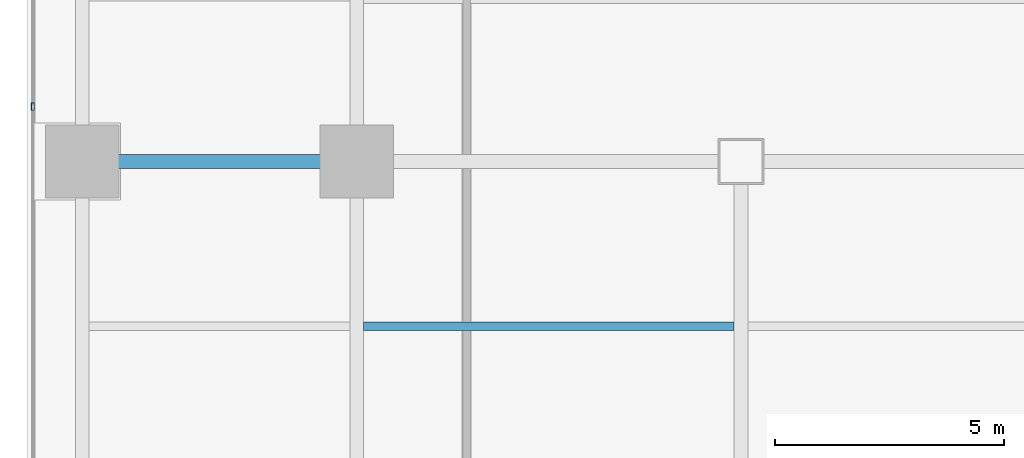
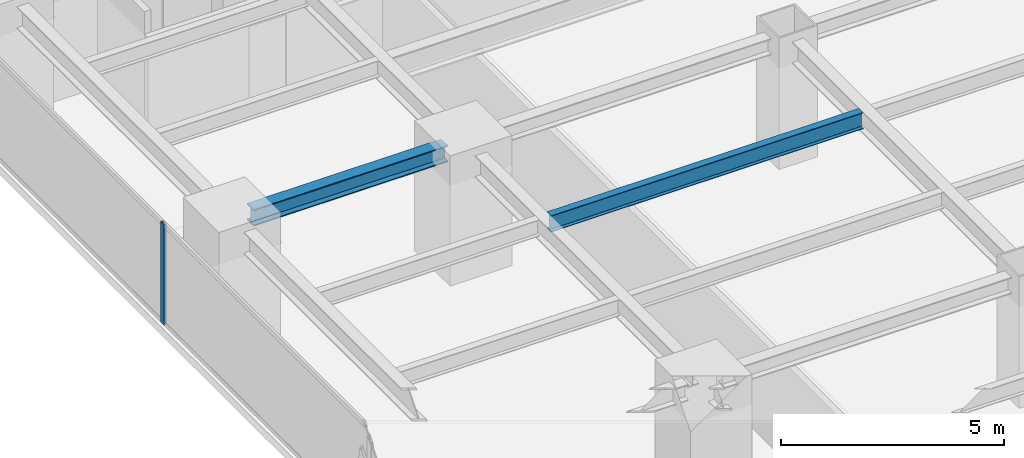
# One storey, part 7 of 27: 2 beams, 1 member, 1 element without a shape of its own.
"""IFC4 building model written with IfcOpenShell, lengths in metres."""

import ifcopenshell
import ifcopenshell.guid

model = None  # the IFC model being written
_history = None  # IfcOwnerHistory: only IFC2X3 demands one
_inside = {}  # id of a spatial element -> (the spatial element, [elements in it])
_under = {}  # id of a project, library or spatial element -> (it, [spatial elements below it])
_declared = {}  # id of a project -> (the project, [libraries it declares])
_typed = {}  # id of a type object -> (the type object, [elements of that type])
_made_of = {}  # id of a material, layer set ... -> (it, [elements and type objects made of it])


def new_model(schema):
    """Start an empty IFC model of exactly this schema.

    Asked for "IFC4X3", IfcOpenShell would pick the latest addendum, in which some entities
    have other attributes; the version numbers below select the first issue.
    IFC2X3 requires an IfcOwnerHistory on every rooted entity: one is made here for all.
    """
    global model, _history
    if schema == "IFC4X3":
        model = ifcopenshell.file(schema_version=(4, 3, 0, 0))
    else:
        model = ifcopenshell.file(schema=schema)
    _inside.clear()
    _under.clear()
    _declared.clear()
    _typed.clear()
    _made_of.clear()
    _history = None
    if model.schema == "IFC2X3":
        org = make("IfcOrganization", Name="unknown")
        user = make(
            "IfcPersonAndOrganization",
            ThePerson=make("IfcPerson", FamilyName="unknown"),
            TheOrganization=org,
        )
        app = make(
            "IfcApplication",
            ApplicationDeveloper=org,
            Version="unknown",
            ApplicationFullName="unknown",
            ApplicationIdentifier="unknown",
        )
        _history = make(
            "IfcOwnerHistory",
            OwningUser=user,
            OwningApplication=app,
            ChangeAction="ADDED",
            CreationDate=0,
        )
    return model


def make(cls, **values):
    """One entity of the class cls with the attributes given. An attribute that is None is left unset."""
    return model.create_entity(
        cls, **{name: value for name, value in values.items() if value is not None}
    )


def rooted(cls, **values):
    """An entity with a GlobalId (a new one), such as an element, a storey or a relation."""
    return make(cls, GlobalId=ifcopenshell.guid.new(), OwnerHistory=_history, **values)


def si_unit(unit_type, name, prefix=None):
    """IfcSIUnit, for example si_unit("LENGTHUNIT", "METRE", prefix="MILLI")."""
    return make("IfcSIUnit", UnitType=unit_type, Prefix=prefix, Name=name)


def assignment(units):
    """IfcUnitAssignment: the units of a project."""
    return None if units is None else make("IfcUnitAssignment", Units=units)


def point(xyz):
    """IfcCartesianPoint."""
    return None if xyz is None else make("IfcCartesianPoint", Coordinates=xyz)


def direction(xyz):
    """IfcDirection."""
    return None if xyz is None else make("IfcDirection", DirectionRatios=xyz)


def frame(location, z_axis=None, x_axis=None):
    """IfcAxis2Placement3D, a coordinate frame: its origin and axes. An axis left out is left unset."""
    return make(
        "IfcAxis2Placement3D",
        Location=point(location),
        Axis=direction(z_axis),
        RefDirection=direction(x_axis),
    )


def frame_2d(location, x_axis=None):
    """IfcAxis2Placement2D, a coordinate frame in the plane: its origin and x axis."""
    return make(
        "IfcAxis2Placement2D", Location=point(location), RefDirection=direction(x_axis)
    )


def origin():
    """The frame at (0, 0, 0) with its axes left unset."""
    return frame((0.0, 0.0, 0.0))


def origin_2d():
    """The frame at (0, 0) in the plane with its x axis left unset."""
    return frame_2d((0.0, 0.0))


def place(relative_to, where):
    """IfcLocalPlacement: puts the frame where relative to a parent placement (None: the world)."""
    return make(
        "IfcLocalPlacement", PlacementRelTo=relative_to, RelativePlacement=where
    )


def context(
    kind, dimensions, precision=None, world=None, true_north=None, identifier=None
):
    """IfcGeometricRepresentationContext, for example the 3D "Model" context."""
    return make(
        "IfcGeometricRepresentationContext",
        ContextIdentifier=identifier,
        ContextType=kind,
        CoordinateSpaceDimension=dimensions,
        Precision=precision,
        WorldCoordinateSystem=world,
        TrueNorth=true_north,
    )


def subcontext(parent, identifier, kind, view, scale=None):
    """IfcGeometricRepresentationSubContext, for example "Body" below "Model"."""
    return make(
        "IfcGeometricRepresentationSubContext",
        ContextIdentifier=identifier,
        ContextType=kind,
        ParentContext=parent,
        TargetScale=scale,
        TargetView=view,
    )


def project(units=None, contexts=None):
    """IfcProject with its units and contexts."""
    return rooted(
        "IfcProject",
        Name="project",
        RepresentationContexts=contexts,
        UnitsInContext=assignment(units),
    )


def spatial(cls, under=None, at=None, **own):
    """A site, building, storey or space (cls), placed at a placement, below another one or the project."""
    s = rooted(cls, ObjectPlacement=at, **own)
    if under is not None:
        _under.setdefault(under.id(), (under, []))[1].append(s)
    return s


def profile(cls, at=None, kind="AREA", **sizes):
    """A parametric profile (cls). Its sizes go by their IFC names, for example OverallWidth=200.0."""
    return make(cls, ProfileType=kind, Position=at, **sizes)


def hollow_rectangle(**sizes):
    """IfcRectangleHollowProfileDef."""
    return profile("IfcRectangleHollowProfileDef", **sizes)


def i_section(**sizes):
    """IfcIShapeProfileDef."""
    return profile("IfcIShapeProfileDef", **sizes)


def extrude(swept, where, along, depth):
    """IfcExtrudedAreaSolid: the profile swept, set in the frame where, extruded along a direction by depth."""
    return make(
        "IfcExtrudedAreaSolid",
        SweptArea=swept,
        Position=where,
        ExtrudedDirection=direction(along),
        Depth=depth,
    )


def shape(context_of_items, identifier, shape_type, items):
    """IfcShapeRepresentation: the items that make up one representation, for example the "Body"."""
    return make(
        "IfcShapeRepresentation",
        ContextOfItems=context_of_items,
        RepresentationIdentifier=identifier,
        RepresentationType=shape_type,
        Items=items,
    )


def source(mapping_origin, context_of_items, identifier, shape_type, items):
    """IfcRepresentationMap: a shape defined once, which mapped items show again and again."""
    return make(
        "IfcRepresentationMap",
        MappingOrigin=mapping_origin,
        MappedRepresentation=shape(context_of_items, identifier, shape_type, items),
    )


def transform(
    local_origin,
    x_axis=None,
    y_axis=None,
    z_axis=None,
    scale=None,
    scale2=None,
    scale3=None,
    uniform=True,
):
    """IfcCartesianTransformationOperator3D, or its non-uniform kind. x_axis, y_axis, z_axis: its Axis1, 2, 3."""
    if uniform:
        return make(
            "IfcCartesianTransformationOperator3D",
            Axis1=direction(x_axis),
            Axis2=direction(y_axis),
            LocalOrigin=point(local_origin),
            Scale=scale,
            Axis3=direction(z_axis),
        )
    return make(
        "IfcCartesianTransformationOperator3DnonUniform",
        Axis1=direction(x_axis),
        Axis2=direction(y_axis),
        LocalOrigin=point(local_origin),
        Scale=scale,
        Axis3=direction(z_axis),
        Scale2=scale2,
        Scale3=scale3,
    )


def mapped(mapping_source, mapping_target):
    """IfcMappedItem: shows the shape of a source again, moved by a transform."""
    return make(
        "IfcMappedItem", MappingSource=mapping_source, MappingTarget=mapping_target
    )


def material(Name=None, Category=None):
    """IfcMaterial."""
    return make("IfcMaterial", Name=Name, Category=Category)


def layer(
    of_material, thickness, ventilated=None, Name=None, Category=None, Priority=None
):
    """IfcMaterialLayer: one layer of a wall or slab, of a material (None: an air gap)."""
    return make(
        "IfcMaterialLayer",
        Material=of_material,
        LayerThickness=thickness,
        IsVentilated=ventilated,
        Name=Name,
        Category=Category,
        Priority=Priority,
    )


def layer_set(layers, Name=None):
    """IfcMaterialLayerSet."""
    return make("IfcMaterialLayerSet", MaterialLayers=layers, LayerSetName=Name)


def material_profile(
    of_material, cross_section, Name=None, Category=None, Priority=None
):
    """IfcMaterialProfile: a cross section and its material."""
    return make(
        "IfcMaterialProfile",
        Name=Name,
        Material=of_material,
        Profile=cross_section,
        Priority=Priority,
        Category=Category,
    )


def profile_set(profiles, Name=None, composite=None):
    """IfcMaterialProfileSet."""
    return make(
        "IfcMaterialProfileSet",
        Name=Name,
        MaterialProfiles=profiles,
        CompositeProfile=composite,
    )


def made_of(thing, what):
    """Note that an element or type object is made of a material, layer set ...; save() writes the relation."""
    if what is not None:
        _made_of.setdefault(what.id(), (what, []))[1].append(thing)
    return thing


def type_object(cls, material=None, **own):
    """A type object (cls), such as IfcWallType, which elements share."""
    return made_of(rooted(cls, **own), material)


def element(
    cls,
    number,
    at=None,
    inside=None,
    cuts=None,
    type_object=None,
    material=None,
    context=None,
    identifier="Body",
    shape_type=None,
    held_by="IfcProductDefinitionShape",
    body=None,
    shapes=None,
    **own,
):
    """One element of the class cls, such as IfcWall. Its Tag is "e" and its number.

    at: its placement. inside: the storey or other place that contains it. cuts: it is an
    opening in that element (IfcRelVoidsElement). A single representation is given by context,
    identifier, shape_type and body (its items); several are given by shapes. held_by: the class
    of the entity that holds the representations. save() writes the other relations.
    """
    e = rooted(cls, Tag="e%d" % number, ObjectPlacement=at, **own)
    if body is not None:
        shapes = [shape(context, identifier, shape_type, body)]
    if shapes is not None:
        e.Representation = make(held_by, Representations=shapes)
    if inside is not None:
        _inside.setdefault(inside.id(), (inside, []))[1].append(e)
    if cuts is not None:
        rooted(
            "IfcRelVoidsElement", RelatingBuildingElement=cuts, RelatedOpeningElement=e
        )
    if type_object is not None:
        _typed.setdefault(type_object.id(), (type_object, []))[1].append(e)
    return made_of(e, material)


def aggregate(whole, parts):
    """IfcRelAggregates: a whole, such as a stair, and the parts it consists of."""
    return rooted("IfcRelAggregates", RelatingObject=whole, RelatedObjects=parts)


def save(model, path):
    """Write the relations noted so far, then the file.

    IfcRelAggregates (storeys below a building ...), IfcRelContainedInSpatialStructure (elements
    in a storey), IfcRelDefinesByType, IfcRelAssociatesMaterial and IfcRelDeclares: one each for
    every whole, place, type object, material and project.
    """
    for whole, parts in _under.values():
        aggregate(whole, parts)
    for where, things in _inside.values():
        rooted(
            "IfcRelContainedInSpatialStructure",
            RelatedElements=things,
            RelatingStructure=where,
        )
    for kind, things in _typed.values():
        rooted("IfcRelDefinesByType", RelatedObjects=things, RelatingType=kind)
    for what, things in _made_of.values():
        rooted("IfcRelAssociatesMaterial", RelatedObjects=things, RelatingMaterial=what)
    for by, libraries in _declared.values():
        rooted("IfcRelDeclares", RelatingContext=by, RelatedDefinitions=libraries)
    model.write(path)


model = new_model("IFC4")

# Units and contexts
model_context = context("Model", 3, precision=1e-05, world=origin(), true_north=direction((0.0, 1.0)))
body_context = subcontext(model_context, "Body", "Model", "MODEL_VIEW")
ifc_project = project(units=[si_unit("LENGTHUNIT", "METRE"), si_unit("AREAUNIT", "SQUARE_METRE"), si_unit("VOLUMEUNIT", "CUBIC_METRE"), si_unit("PLANEANGLEUNIT", "RADIAN"), si_unit("MASSUNIT", "GRAM", prefix="KILO")], contexts=[model_context])

# Site, building, storey
site_placement = place(None, origin())
site = spatial("IfcSite", under=ifc_project, at=site_placement, CompositionType="ELEMENT")
building_placement = place(site_placement, origin())
building = spatial("IfcBuilding", under=site, at=building_placement, Name="Sumidabori Civic Tower", CompositionType="ELEMENT")
storey_placement = place(building_placement, frame((0.0, 0.0, 160.39990234375)))
storey = spatial("IfcBuildingStorey", under=building, at=storey_placement, Name="L41", CompositionType="ELEMENT", Elevation=160.39990234375)

# Beams
ifc_material_1 = material(Name="Steel SN490", Category="steel")
ifc_material_profile_1 = material_profile(ifc_material_1, i_section(OverallWidth=0.18994140625, OverallDepth=0.449951171875, WebThickness=0.009521484375, FlangeThickness=0.0146484375, at=origin_2d()), Name="IPE 450")
ifc_profile_set_1 = profile_set([ifc_material_profile_1], Name="Steel SN490")
beam_type_1 = type_object("IfcBeamType", Name="BM-JST-450", PredefinedType="JOIST", material=ifc_profile_set_1)
shared_shape_1 = source(origin(), body_context, "Body", "SweptSolid", [
    extrude(i_section(OverallWidth=0.18994140625, OverallDepth=0.449951171875, WebThickness=0.009521484375, FlangeThickness=0.0146484375, at=origin_2d()), origin(), (0.0, 0.0, 1.0), 8.099853515625),
])
beam_1_placement = place(storey_placement, frame((-16.64990234375, -3.60009765625, 3.155029296875), z_axis=(1.0, 0.0, 0.0), x_axis=(0.0, 1.0, 0.0)))
element("IfcBeam", 1, at=beam_1_placement, inside=storey, type_object=beam_type_1, Name="South Bay Floor Joist L41 JSTS-57", PredefinedType="JOIST", context=body_context, shape_type="MappedRepresentation", body=[
    mapped(shared_shape_1, transform((0.0, 0.0, 0.0), x_axis=(1.0, 0.0, 0.0), y_axis=(0.0, 1.0, 0.0), z_axis=(0.0, 0.0, 1.0), scale=1.0)),
])
ifc_material_profile_2 = material_profile(ifc_material_1, i_section(OverallWidth=0.300048828125, OverallDepth=0.449951171875, WebThickness=0.013916015625, FlangeThickness=0.02587890625, at=origin_2d()), Name="HE 450 B")
ifc_profile_set_2 = profile_set([ifc_material_profile_2], Name="Steel SN490")
beam_type_2 = type_object("IfcBeamType", Name="BM-GIRD-450", PredefinedType="BEAM", material=ifc_profile_set_2)
shared_shape_2 = source(origin(), body_context, "Body", "SweptSolid", [
    extrude(i_section(OverallWidth=0.300048828125, OverallDepth=0.449951171875, WebThickness=0.013916015625, FlangeThickness=0.02587890625, at=origin_2d()), origin(), (0.0, 0.0, 1.0), 5.0400390625),
])
beam_2_placement = place(storey_placement, frame((-22.320068359375, 0.0, 3.155029296875), z_axis=(1.0, 0.0, 0.0), x_axis=(0.0, 1.0, 0.0)))
element("IfcBeam", 2, at=beam_2_placement, inside=storey, type_object=beam_type_2, Name="Primary Girder L41 GX-11", PredefinedType="BEAM", context=body_context, shape_type="MappedRepresentation", body=[
    mapped(shared_shape_2, transform((0.0, 0.0, 0.0), x_axis=(1.0, 0.0, 0.0), y_axis=(0.0, 1.0, 0.0), z_axis=(0.0, 0.0, 1.0), scale=1.0)),
])

# Curtain wall, member
ifc_material_2 = material(Name="Anodised Bronze Aluminium AW-6063-T6", Category="aluminium")
ifc_layer = layer(ifc_material_2, 0.179931640625, Name="Anodised Bronze Aluminium AW-6063-T6")
ifc_layer_set = layer_set([ifc_layer], Name="Anodised Bronze Aluminium AW-6063-T6")
curtain_wall_type = type_object("IfcCurtainWallType", Name="CW-SYS-3", PredefinedType="NOTDEFINED", material=ifc_layer_set)
curtain_wall_placement = place(storey_placement, origin())
curtain_wall = element("IfcCurtainWall", 3, at=curtain_wall_placement, inside=storey, type_object=curtain_wall_type, Name="Curtain Wall CW:L41:R10", PredefinedType="NOTDEFINED")
ifc_material_profile_3 = material_profile(ifc_material_2, hollow_rectangle(XDim=0.06494140625, YDim=0.159912109375, WallThickness=0.0048828125, at=origin_2d()), Name="ALU MULLION 160x65")
ifc_profile_set_3 = profile_set([ifc_material_profile_3], Name="Anodised Bronze Aluminium AW-6063-T6")
member_type = type_object("IfcMemberType", Name="CW-MUL-160", PredefinedType="MULLION", material=ifc_profile_set_3)
shared_shape_3 = source(origin(), body_context, "Body", "SweptSolid", [
    extrude(hollow_rectangle(XDim=0.06494140625, YDim=0.159912109375, WallThickness=0.0048828125, at=origin_2d()), origin(), (0.0, 0.0, 1.0), 2.760009765625),
])
member_placement = place(storey_placement, frame((-23.8798828125, 1.199951171875, 0.0), z_axis=(0.0, 0.0, 1.0), x_axis=(1.0, 0.0, 0.0)))
member = element("IfcMember", 4, at=member_placement, type_object=member_type, Name="CW-3 mullion 3", PredefinedType="MULLION", context=body_context, shape_type="MappedRepresentation", body=[
    mapped(shared_shape_3, transform((0.0, 0.0, 0.0), x_axis=(1.0, 0.0, 0.0), y_axis=(0.0, 1.0, 0.0), z_axis=(0.0, 0.0, 1.0), scale=1.0)),
])
aggregate(curtain_wall, [member])

save(model, "model.ifc")
